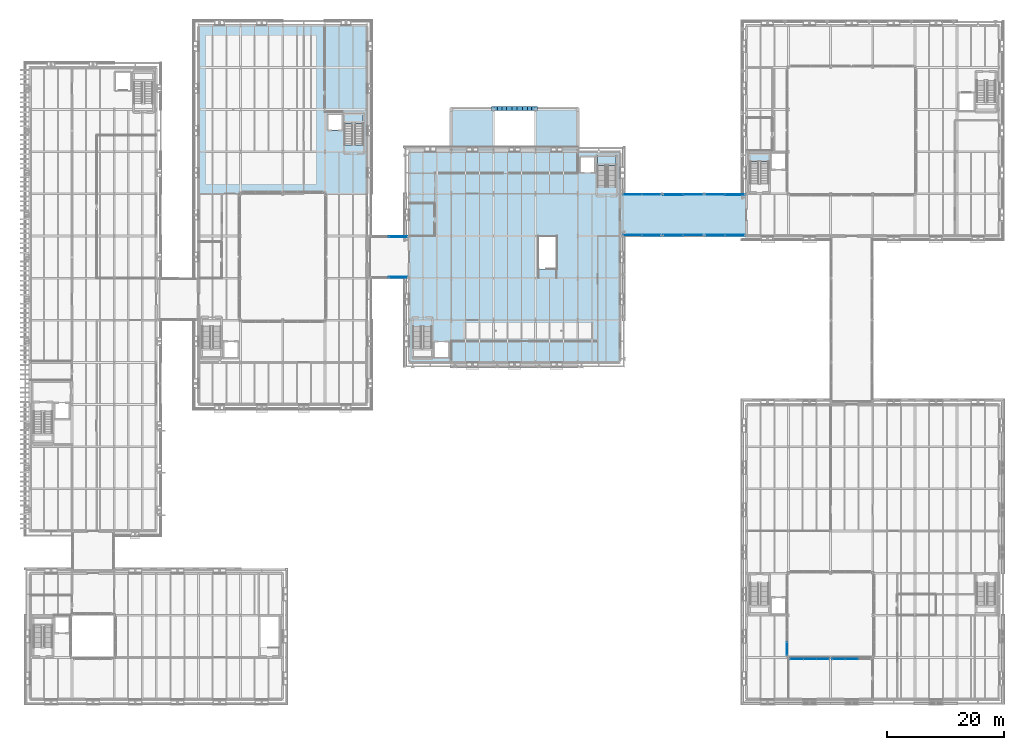
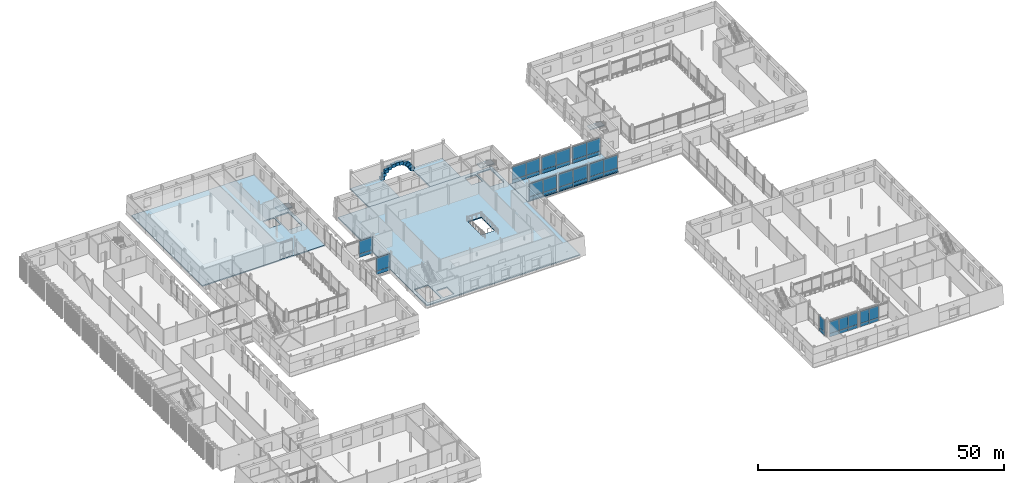
# One storey, part 65 of 121: 51 plates, 8 slabs, 14 elements without a shape of their own.
"""IFC4 building model written with IfcOpenShell, lengths in metres."""

import ifcopenshell
import ifcopenshell.guid

model = None  # the IFC model being written
_history = None  # IfcOwnerHistory: only IFC2X3 demands one
_inside = {}  # id of a spatial element -> (the spatial element, [elements in it])
_under = {}  # id of a project, library or spatial element -> (it, [spatial elements below it])
_declared = {}  # id of a project -> (the project, [libraries it declares])
_typed = {}  # id of a type object -> (the type object, [elements of that type])
_made_of = {}  # id of a material, layer set ... -> (it, [elements and type objects made of it])


def new_model(schema):
    """Start an empty IFC model of exactly this schema.

    Asked for "IFC4X3", IfcOpenShell would pick the latest addendum, in which some entities
    have other attributes; the version numbers below select the first issue.
    IFC2X3 requires an IfcOwnerHistory on every rooted entity: one is made here for all.
    """
    global model, _history
    if schema == "IFC4X3":
        model = ifcopenshell.file(schema_version=(4, 3, 0, 0))
    else:
        model = ifcopenshell.file(schema=schema)
    _inside.clear()
    _under.clear()
    _declared.clear()
    _typed.clear()
    _made_of.clear()
    _history = None
    if model.schema == "IFC2X3":
        org = make("IfcOrganization", Name="unknown")
        user = make(
            "IfcPersonAndOrganization",
            ThePerson=make("IfcPerson", FamilyName="unknown"),
            TheOrganization=org,
        )
        app = make(
            "IfcApplication",
            ApplicationDeveloper=org,
            Version="unknown",
            ApplicationFullName="unknown",
            ApplicationIdentifier="unknown",
        )
        _history = make(
            "IfcOwnerHistory",
            OwningUser=user,
            OwningApplication=app,
            ChangeAction="ADDED",
            CreationDate=0,
        )
    return model


def make(cls, **values):
    """One entity of the class cls with the attributes given. An attribute that is None is left unset."""
    return model.create_entity(
        cls, **{name: value for name, value in values.items() if value is not None}
    )


def rooted(cls, **values):
    """An entity with a GlobalId (a new one), such as an element, a storey or a relation."""
    return make(cls, GlobalId=ifcopenshell.guid.new(), OwnerHistory=_history, **values)


def si_unit(unit_type, name, prefix=None):
    """IfcSIUnit, for example si_unit("LENGTHUNIT", "METRE", prefix="MILLI")."""
    return make("IfcSIUnit", UnitType=unit_type, Prefix=prefix, Name=name)


def assignment(units):
    """IfcUnitAssignment: the units of a project."""
    return None if units is None else make("IfcUnitAssignment", Units=units)


def point(xyz):
    """IfcCartesianPoint."""
    return None if xyz is None else make("IfcCartesianPoint", Coordinates=xyz)


def direction(xyz):
    """IfcDirection."""
    return None if xyz is None else make("IfcDirection", DirectionRatios=xyz)


def frame(location, z_axis=None, x_axis=None):
    """IfcAxis2Placement3D, a coordinate frame: its origin and axes. An axis left out is left unset."""
    return make(
        "IfcAxis2Placement3D",
        Location=point(location),
        Axis=direction(z_axis),
        RefDirection=direction(x_axis),
    )


def frame_2d(location, x_axis=None):
    """IfcAxis2Placement2D, a coordinate frame in the plane: its origin and x axis."""
    return make(
        "IfcAxis2Placement2D", Location=point(location), RefDirection=direction(x_axis)
    )


def origin():
    """The frame at (0, 0, 0) with its axes left unset."""
    return frame((0.0, 0.0, 0.0))


def origin_2d():
    """The frame at (0, 0) in the plane with its x axis left unset."""
    return frame_2d((0.0, 0.0))


def place(relative_to, where):
    """IfcLocalPlacement: puts the frame where relative to a parent placement (None: the world)."""
    return make(
        "IfcLocalPlacement", PlacementRelTo=relative_to, RelativePlacement=where
    )


def context(
    kind, dimensions, precision=None, world=None, true_north=None, identifier=None
):
    """IfcGeometricRepresentationContext, for example the 3D "Model" context."""
    return make(
        "IfcGeometricRepresentationContext",
        ContextIdentifier=identifier,
        ContextType=kind,
        CoordinateSpaceDimension=dimensions,
        Precision=precision,
        WorldCoordinateSystem=world,
        TrueNorth=true_north,
    )


def subcontext(parent, identifier, kind, view, scale=None):
    """IfcGeometricRepresentationSubContext, for example "Body" below "Model"."""
    return make(
        "IfcGeometricRepresentationSubContext",
        ContextIdentifier=identifier,
        ContextType=kind,
        ParentContext=parent,
        TargetScale=scale,
        TargetView=view,
    )


def project(units=None, contexts=None):
    """IfcProject with its units and contexts."""
    return rooted(
        "IfcProject",
        Name="project",
        RepresentationContexts=contexts,
        UnitsInContext=assignment(units),
    )


def spatial(cls, under=None, at=None, **own):
    """A site, building, storey or space (cls), placed at a placement, below another one or the project."""
    s = rooted(cls, ObjectPlacement=at, **own)
    if under is not None:
        _under.setdefault(under.id(), (under, []))[1].append(s)
    return s


def polyline(points):
    """IfcPolyline through the points."""
    return make("IfcPolyline", Points=[point(p) for p in points])


def profile(cls, at=None, kind="AREA", **sizes):
    """A parametric profile (cls). Its sizes go by their IFC names, for example OverallWidth=200.0."""
    return make(cls, ProfileType=kind, Position=at, **sizes)


def rectangle(**sizes):
    """IfcRectangleProfileDef."""
    return profile("IfcRectangleProfileDef", **sizes)


def outline(outer, holes=None, kind="AREA"):
    """IfcArbitraryClosedProfileDef: a profile drawn as a closed curve; with holes, ...WithVoids."""
    if holes is None:
        return make("IfcArbitraryClosedProfileDef", ProfileType=kind, OuterCurve=outer)
    return make(
        "IfcArbitraryProfileDefWithVoids",
        ProfileType=kind,
        OuterCurve=outer,
        InnerCurves=holes,
    )


def extrude(swept, where, along, depth):
    """IfcExtrudedAreaSolid: the profile swept, set in the frame where, extruded along a direction by depth."""
    return make(
        "IfcExtrudedAreaSolid",
        SweptArea=swept,
        Position=where,
        ExtrudedDirection=direction(along),
        Depth=depth,
    )


def shape(context_of_items, identifier, shape_type, items):
    """IfcShapeRepresentation: the items that make up one representation, for example the "Body"."""
    return make(
        "IfcShapeRepresentation",
        ContextOfItems=context_of_items,
        RepresentationIdentifier=identifier,
        RepresentationType=shape_type,
        Items=items,
    )


def material(Name=None, Category=None):
    """IfcMaterial."""
    return make("IfcMaterial", Name=Name, Category=Category)


def layer(
    of_material, thickness, ventilated=None, Name=None, Category=None, Priority=None
):
    """IfcMaterialLayer: one layer of a wall or slab, of a material (None: an air gap)."""
    return make(
        "IfcMaterialLayer",
        Material=of_material,
        LayerThickness=thickness,
        IsVentilated=ventilated,
        Name=Name,
        Category=Category,
        Priority=Priority,
    )


def layer_set(layers, Name=None):
    """IfcMaterialLayerSet."""
    return make("IfcMaterialLayerSet", MaterialLayers=layers, LayerSetName=Name)


def made_of(thing, what):
    """Note that an element or type object is made of a material, layer set ...; save() writes the relation."""
    if what is not None:
        _made_of.setdefault(what.id(), (what, []))[1].append(thing)
    return thing


def type_object(cls, material=None, **own):
    """A type object (cls), such as IfcWallType, which elements share."""
    return made_of(rooted(cls, **own), material)


def element(
    cls,
    number,
    at=None,
    inside=None,
    cuts=None,
    type_object=None,
    material=None,
    context=None,
    identifier="Body",
    shape_type=None,
    held_by="IfcProductDefinitionShape",
    body=None,
    shapes=None,
    **own,
):
    """One element of the class cls, such as IfcWall. Its Tag is "e" and its number.

    at: its placement. inside: the storey or other place that contains it. cuts: it is an
    opening in that element (IfcRelVoidsElement). A single representation is given by context,
    identifier, shape_type and body (its items); several are given by shapes. held_by: the class
    of the entity that holds the representations. save() writes the other relations.
    """
    e = rooted(cls, Tag="e%d" % number, ObjectPlacement=at, **own)
    if body is not None:
        shapes = [shape(context, identifier, shape_type, body)]
    if shapes is not None:
        e.Representation = make(held_by, Representations=shapes)
    if inside is not None:
        _inside.setdefault(inside.id(), (inside, []))[1].append(e)
    if cuts is not None:
        rooted(
            "IfcRelVoidsElement", RelatingBuildingElement=cuts, RelatedOpeningElement=e
        )
    if type_object is not None:
        _typed.setdefault(type_object.id(), (type_object, []))[1].append(e)
    return made_of(e, material)


def aggregate(whole, parts):
    """IfcRelAggregates: a whole, such as a stair, and the parts it consists of."""
    return rooted("IfcRelAggregates", RelatingObject=whole, RelatedObjects=parts)


def save(model, path):
    """Write the relations noted so far, then the file.

    IfcRelAggregates (storeys below a building ...), IfcRelContainedInSpatialStructure (elements
    in a storey), IfcRelDefinesByType, IfcRelAssociatesMaterial and IfcRelDeclares: one each for
    every whole, place, type object, material and project.
    """
    for whole, parts in _under.values():
        aggregate(whole, parts)
    for where, things in _inside.values():
        rooted(
            "IfcRelContainedInSpatialStructure",
            RelatedElements=things,
            RelatingStructure=where,
        )
    for kind, things in _typed.values():
        rooted("IfcRelDefinesByType", RelatedObjects=things, RelatingType=kind)
    for what, things in _made_of.values():
        rooted("IfcRelAssociatesMaterial", RelatedObjects=things, RelatingMaterial=what)
    for by, libraries in _declared.values():
        rooted("IfcRelDeclares", RelatingContext=by, RelatedDefinitions=libraries)
    model.write(path)


model = new_model("IFC4")

# Units and contexts
model_context = context("Model", 3, precision=1e-05, world=origin(), true_north=direction((0.0, 1.0)))
body_context = subcontext(model_context, "Body", "Model", "MODEL_VIEW")
ifc_project = project(units=[si_unit("LENGTHUNIT", "METRE"), si_unit("AREAUNIT", "SQUARE_METRE"), si_unit("VOLUMEUNIT", "CUBIC_METRE"), si_unit("PLANEANGLEUNIT", "RADIAN"), si_unit("MASSUNIT", "GRAM", prefix="KILO")], contexts=[model_context])

# Site, building, storey
site_placement = place(None, origin())
site = spatial("IfcSite", under=ifc_project, at=site_placement, CompositionType="ELEMENT")
building_placement = place(site_placement, origin())
building = spatial("IfcBuilding", under=site, at=building_placement, Name="Narikvali Park Central Library", CompositionType="ELEMENT")
storey_placement = place(building_placement, frame((0.0, 0.0, 5.39990234375)))
storey = spatial("IfcBuildingStorey", under=building, at=storey_placement, Name="L01", CompositionType="ELEMENT", Elevation=5.39990234375)

# Slabs
ifc_material_1 = material(Name="Concrete C40/50", Category="concrete")
ifc_layer_1 = layer(ifc_material_1, 0.25, Name="Concrete C40/50")
ifc_layer_set_1 = layer_set([ifc_layer_1], Name="Concrete C40/50")
slab_type_1 = type_object("IfcSlabType", Name="Bridge Sliding Deck Slab 250", PredefinedType="FLOOR", material=ifc_layer_set_1)
slab_1_placement = place(storey_placement, frame((0.0, 0.0, -0.25)))
element("IfcSlab", 1, at=slab_1_placement, inside=storey, type_object=slab_type_1, Name="BRG-3 L01 Covered Bridge Deck", PredefinedType="FLOOR", context=body_context, shape_type="SweptSolid", body=[
    extrude(outline(polyline([(100.840087890625, 79.199951171875), (122.360107421875, 79.199951171875), (122.360107421875, 86.39990234375), (100.840087890625, 86.39990234375), (100.840087890625, 79.199951171875)])), origin(), (0.0, 0.0, 1.0), 0.25),
])
ifc_material_2 = material(Name="Concrete C35/45", Category="concrete")
ifc_layer_2 = layer(ifc_material_2, 0.280029296875, Name="Concrete C35/45")
ifc_layer_set_2 = layer_set([ifc_layer_2], Name="Concrete C35/45")
slab_type_2 = type_object("IfcSlabType", Name="Composite Reading Floor Slab 280", PredefinedType="FLOOR", material=ifc_layer_set_2)
slab_2_placement = place(storey_placement, frame((0.0, 0.0, -0.27978515625)))
element("IfcSlab", 2, at=slab_2_placement, inside=storey, type_object=slab_type_2, Name="V1 L01 Structural Slab", PredefinedType="FLOOR", context=body_context, shape_type="SweptSolid", body=[
    extrude(outline(polyline([(64.800048828125, 57.60009765625), (100.800048828125, 57.60009765625), (100.800048828125, 93.60009765625), (64.800048828125, 93.60009765625), (64.800048828125, 57.60009765625)]), holes=[polyline([(65.449951171875, 58.300048828125), (68.64990234375, 58.300048828125), (68.64990234375, 63.75), (65.449951171875, 63.75), (65.449951171875, 58.300048828125)]), polyline([(69.050048828125, 58.35009765625), (71.60009765625, 58.35009765625), (71.60009765625, 61.14990234375), (69.050048828125, 61.14990234375), (69.050048828125, 58.35009765625)]), polyline([(96.949951171875, 87.550048828125), (100.14990234375, 87.550048828125), (100.14990234375, 93.0), (96.949951171875, 93.0), (96.949951171875, 87.550048828125)]), polyline([(94.0, 89.949951171875), (96.550048828125, 89.949951171875), (96.550048828125, 92.75), (94.0, 92.75), (94.0, 89.949951171875)]), polyline([(86.85009765625, 73.60009765625), (90.0, 73.60009765625), (90.0, 79.10009765625), (86.85009765625, 79.10009765625), (86.85009765625, 73.60009765625)])]), origin(), (0.0, 0.0, 1.0), 0.27978515625),
])
slab_3_placement = place(storey_placement, frame((0.0, 0.0, -0.27978515625)))
element("IfcSlab", 3, at=slab_3_placement, inside=storey, type_object=slab_type_2, Name="V4 L01 Structural Slab Panel 2", PredefinedType="FLOOR", context=body_context, shape_type="SweptSolid", body=[
    extrude(outline(polyline([(28.800048828125, 86.39990234375), (57.60009765625, 86.39990234375), (57.60009765625, 115.199951171875), (28.800048828125, 115.199951171875), (28.800048828125, 86.39990234375)]), holes=[polyline([(53.75, 94.75), (56.949951171875, 94.75), (56.949951171875, 100.199951171875), (53.75, 100.199951171875), (53.75, 94.75)]), polyline([(50.85009765625, 97.25), (53.39990234375, 97.25), (53.39990234375, 100.050048828125), (50.85009765625, 100.050048828125), (50.85009765625, 97.25)])]), origin(), (0.0, 0.0, 1.0), 0.27978515625),
])
slab_4_placement = place(storey_placement, frame((0.0, 0.0, -0.27978515625)))
element("IfcSlab", 4, at=slab_4_placement, inside=storey, type_object=slab_type_2, Name="Entrance Arch L01 W Gallery Slab", PredefinedType="FLOOR", context=body_context, shape_type="SweptSolid", body=[
    extrude(outline(polyline([(72.0, 93.60009765625), (79.199951171875, 93.60009765625), (79.199951171875, 101.179931640625), (72.0, 101.179931640625), (72.0, 93.60009765625)])), origin(), (0.0, 0.0, 1.0), 0.27978515625),
])
slab_5_placement = place(storey_placement, frame((0.0, 0.0, -0.27978515625)))
element("IfcSlab", 5, at=slab_5_placement, inside=storey, type_object=slab_type_2, Name="Entrance Arch L01 E Gallery Slab", PredefinedType="FLOOR", context=body_context, shape_type="SweptSolid", body=[
    extrude(outline(polyline([(86.39990234375, 93.60009765625), (93.60009765625, 93.60009765625), (93.60009765625, 101.179931640625), (86.39990234375, 101.179931640625), (86.39990234375, 93.60009765625)])), origin(), (0.0, 0.0, 1.0), 0.27978515625),
])

# Curtain wall, plate
ifc_material_3 = material(Name="Anodised Bronze Aluminium", Category="aluminium")
ifc_layer_3 = layer(ifc_material_3, 0.219970703125, Name="Anodised Bronze Aluminium")
ifc_layer_set_3 = layer_set([ifc_layer_3], Name="Anodised Bronze Aluminium")
curtain_wall_type_1 = type_object("IfcCurtainWallType", Name="Bridge Covered Passage Glazing System", PredefinedType="NOTDEFINED", material=ifc_layer_set_3)
curtain_wall_1_placement = place(storey_placement, origin())
curtain_wall_1 = element("IfcCurtainWall", 6, at=curtain_wall_1_placement, inside=storey, type_object=curtain_wall_type_1, Name="Bridge Covered Passage Glazing System CW-BRG-2-L01-S1", PredefinedType="NOTDEFINED")
ifc_material_4 = material(Name="Anodised Bronze Acoustic Spandrel Cassette")
ifc_layer_4 = layer(ifc_material_4, 0.1650390625, Name="Anodised Bronze Acoustic Spandrel Cassette")
ifc_layer_set_4 = layer_set([ifc_layer_4], Name="Anodised Bronze Acoustic Spandrel Cassette")
plate_type_1 = type_object("IfcPlateType", Name="Curtain Wall Acoustic Plenum Louvre Cassette 165", PredefinedType="CURTAIN_PANEL", material=ifc_layer_set_4)
plate_1_placement = place(storey_placement, frame((62.91259765625, 72.1201171875, 0.03515625), z_axis=(0.0, 0.0, 1.0), x_axis=(1.0, 0.0, 0.0)))
plate_1 = element("IfcPlate", 7, at=plate_1_placement, type_object=plate_type_1, Name="CW-BRG-2-L01-S1 Panel 01-0", PredefinedType="CURTAIN_PANEL", context=body_context, shape_type="SweptSolid", body=[
    extrude(rectangle(XDim=3.1650390625, YDim=0.1650390625, at=origin_2d()), origin(), (0.0, 0.0, 1.0), 0.860107421875),
])

curtain_wall_2_placement = place(storey_placement, origin())
curtain_wall_2 = element("IfcCurtainWall", 8, at=curtain_wall_2_placement, inside=storey, type_object=curtain_wall_type_1, Name="Bridge Covered Passage Glazing System CW-BRG-3-L01-S1", PredefinedType="NOTDEFINED")
plate_2_placement = place(storey_placement, frame((102.952392578125, 79.320068359375, 0.03515625), z_axis=(0.0, 0.0, 1.0), x_axis=(1.0, 0.0, 0.0)))
plate_2 = element("IfcPlate", 9, at=plate_2_placement, type_object=plate_type_1, Name="CW-BRG-3-L01-S1 Panel 00-0", PredefinedType="CURTAIN_PANEL", context=body_context, shape_type="SweptSolid", body=[
    extrude(rectangle(XDim=3.195068359375, YDim=0.1650390625, at=origin_2d()), origin(), (0.0, 0.0, 1.0), 0.860107421875),
])

curtain_wall_3_placement = place(storey_placement, origin())
curtain_wall_3 = element("IfcCurtainWall", 10, at=curtain_wall_3_placement, inside=storey, type_object=curtain_wall_type_1, Name="Bridge Covered Passage Glazing System CW-BRG-3-L01-S2", PredefinedType="NOTDEFINED")
plate_3_placement = place(storey_placement, frame((113.280029296875, 79.320068359375, 0.03515625), z_axis=(0.0, 0.0, 1.0), x_axis=(1.0, 0.0, 0.0)))
plate_3 = element("IfcPlate", 11, at=plate_3_placement, type_object=plate_type_1, Name="CW-BRG-3-L01-S2 Panel 01-0", PredefinedType="CURTAIN_PANEL", context=body_context, shape_type="SweptSolid", body=[
    extrude(rectangle(XDim=3.35009765625, YDim=0.1650390625, at=origin_2d()), origin(), (0.0, 0.0, 1.0), 0.860107421875),
])

curtain_wall_4_placement = place(storey_placement, origin())
curtain_wall_4 = element("IfcCurtainWall", 12, at=curtain_wall_4_placement, inside=storey, type_object=curtain_wall_type_1, Name="Bridge Covered Passage Glazing System CW-BRG-3-L01-N2", PredefinedType="NOTDEFINED")
plate_4_placement = place(storey_placement, frame((109.919921875, 86.280029296875, 0.03515625), z_axis=(0.0, 0.0, 1.0), x_axis=(1.0, 0.0, 0.0)))
plate_4 = element("IfcPlate", 13, at=plate_4_placement, type_object=plate_type_1, Name="CW-BRG-3-L01-N2 Panel 00-0", PredefinedType="CURTAIN_PANEL", context=body_context, shape_type="SweptSolid", body=[
    extrude(rectangle(XDim=3.35009765625, YDim=0.1650390625, at=origin_2d()), origin(), (0.0, 0.0, 1.0), 0.860107421875),
])

curtain_wall_5_placement = place(storey_placement, origin())
curtain_wall_5 = element("IfcCurtainWall", 14, at=curtain_wall_5_placement, inside=storey, type_object=curtain_wall_type_1, Name="Bridge Covered Passage Glazing System CW-BRG-3-L01-N3", PredefinedType="NOTDEFINED")
plate_5_placement = place(storey_placement, frame((120.43505859375, 86.280029296875, 0.03515625), z_axis=(0.0, 0.0, 1.0), x_axis=(1.0, 0.0, 0.0)))
plate_5 = element("IfcPlate", 15, at=plate_5_placement, type_object=plate_type_1, Name="CW-BRG-3-L01-N3 Panel 01-0", PredefinedType="CURTAIN_PANEL", context=body_context, shape_type="SweptSolid", body=[
    extrude(rectangle(XDim=3.320068359375, YDim=0.1650390625, at=origin_2d()), origin(), (0.0, 0.0, 1.0), 0.860107421875),
])

# Plate
ifc_material_5 = material(Name="Heavy Acoustic Laminated Clerestory Glazing", Category="glass")
ifc_layer_5 = layer(ifc_material_5, 0.06396484375, Name="Heavy Acoustic Laminated Clerestory Glazing")
ifc_layer_set_5 = layer_set([ifc_layer_5], Name="Heavy Acoustic Laminated Clerestory Glazing")
plate_type_2 = type_object("IfcPlateType", Name="Curtain Wall Clerestory Laminated Acoustic Glass 64", PredefinedType="CURTAIN_PANEL", material=ifc_layer_set_5)
plate_6_placement = place(storey_placement, frame((62.91259765625, 72.1201171875, 0.905029296875), z_axis=(0.0, 0.0, 1.0), x_axis=(1.0, 0.0, 0.0)))
plate_6 = element("IfcPlate", 16, at=plate_6_placement, type_object=plate_type_2, Name="CW-BRG-2-L01-S1 Panel 01-1", PredefinedType="CURTAIN_PANEL", context=body_context, shape_type="SweptSolid", body=[
    extrude(rectangle(XDim=3.1650390625, YDim=0.06396484375, at=origin_2d()), origin(), (0.0, 0.0, 1.0), 3.2099609375),
])

aggregate(curtain_wall_1, [plate_1, plate_6])

plate_7_placement = place(storey_placement, frame((109.919921875, 79.320068359375, 0.905029296875), z_axis=(0.0, 0.0, 1.0), x_axis=(1.0, 0.0, 0.0)))
plate_7 = element("IfcPlate", 17, at=plate_7_placement, type_object=plate_type_2, Name="CW-BRG-3-L01-S2 Panel 00-1", PredefinedType="CURTAIN_PANEL", context=body_context, shape_type="SweptSolid", body=[
    extrude(rectangle(XDim=3.35009765625, YDim=0.06396484375, at=origin_2d()), origin(), (0.0, 0.0, 1.0), 3.2099609375),
])

plate_8_placement = place(storey_placement, frame((113.280029296875, 79.320068359375, 0.905029296875), z_axis=(0.0, 0.0, 1.0), x_axis=(1.0, 0.0, 0.0)))
plate_8 = element("IfcPlate", 18, at=plate_8_placement, type_object=plate_type_2, Name="CW-BRG-3-L01-S2 Panel 01-1", PredefinedType="CURTAIN_PANEL", context=body_context, shape_type="SweptSolid", body=[
    extrude(rectangle(XDim=3.35009765625, YDim=0.06396484375, at=origin_2d()), origin(), (0.0, 0.0, 1.0), 3.2099609375),
])

plate_9_placement = place(storey_placement, frame((117.10498046875, 86.280029296875, 0.905029296875), z_axis=(0.0, 0.0, 1.0), x_axis=(1.0, 0.0, 0.0)))
plate_9 = element("IfcPlate", 19, at=plate_9_placement, type_object=plate_type_2, Name="CW-BRG-3-L01-N3 Panel 00-1", PredefinedType="CURTAIN_PANEL", context=body_context, shape_type="SweptSolid", body=[
    extrude(rectangle(XDim=3.320068359375, YDim=0.06396484375, at=origin_2d()), origin(), (0.0, 0.0, 1.0), 3.2099609375),
])

plate_10_placement = place(storey_placement, frame((120.43505859375, 86.280029296875, 0.905029296875), z_axis=(0.0, 0.0, 1.0), x_axis=(1.0, 0.0, 0.0)))
plate_10 = element("IfcPlate", 20, at=plate_10_placement, type_object=plate_type_2, Name="CW-BRG-3-L01-N3 Panel 01-1", PredefinedType="CURTAIN_PANEL", context=body_context, shape_type="SweptSolid", body=[
    extrude(rectangle(XDim=3.320068359375, YDim=0.06396484375, at=origin_2d()), origin(), (0.0, 0.0, 1.0), 3.2099609375),
])

# Curtain wall, plate
ifc_layer_6 = layer(ifc_material_3, 0.219970703125, Name="Anodised Bronze Aluminium")
ifc_layer_set_6 = layer_set([ifc_layer_6], Name="Anodised Bronze Aluminium")
curtain_wall_type_2 = type_object("IfcCurtainWallType", Name="Atrium Tall Curtain Wall System", PredefinedType="NOTDEFINED", material=ifc_layer_set_6)
curtain_wall_6_placement = place(storey_placement, origin())
curtain_wall_6 = element("IfcCurtainWall", 21, at=curtain_wall_6_placement, inside=storey, type_object=curtain_wall_type_2, Name="Atrium Tall Curtain Wall System CW-INT-V6-L01-W1", PredefinedType="NOTDEFINED")
plate_11_placement = place(storey_placement, frame((129.320068359375, 8.683349609375, 0.03515625), z_axis=(0.0, 0.0, 1.0), x_axis=(0.0, 1.0, 0.0)))
plate_11 = element("IfcPlate", 22, at=plate_11_placement, type_object=plate_type_2, Name="CW-INT-V6-L01-W1 Panel 00-0", PredefinedType="CURTAIN_PANEL", context=body_context, shape_type="SweptSolid", body=[
    extrude(rectangle(XDim=2.15673828125, YDim=0.06396484375, at=origin_2d()), origin(), (0.0, 0.0, 1.0), 0.860107421875),
])

# Curtain wall, plates
curtain_wall_7_placement = place(storey_placement, origin())
curtain_wall_7 = element("IfcCurtainWall", 23, at=curtain_wall_7_placement, inside=storey, type_object=curtain_wall_type_2, Name="Atrium Tall Curtain Wall System CW-INT-V6-L01-S1", PredefinedType="NOTDEFINED")
plate_12_placement = place(storey_placement, frame((131.083251953125, 6.919921875, 0.03515625), z_axis=(0.0, 0.0, 1.0), x_axis=(1.0, 0.0, 0.0)))
plate_12 = element("IfcPlate", 24, at=plate_12_placement, type_object=plate_type_2, Name="CW-INT-V6-L01-S1 Panel 00-0", PredefinedType="CURTAIN_PANEL", context=body_context, shape_type="SweptSolid", body=[
    extrude(rectangle(XDim=2.15673828125, YDim=0.06396484375, at=origin_2d()), origin(), (0.0, 0.0, 1.0), 0.860107421875),
])
plate_13_placement = place(storey_placement, frame((133.25, 6.919921875, 0.03515625), z_axis=(0.0, 0.0, 1.0), x_axis=(1.0, 0.0, 0.0)))
plate_13 = element("IfcPlate", 25, at=plate_13_placement, type_object=plate_type_2, Name="CW-INT-V6-L01-S1 Panel 01-0", PredefinedType="CURTAIN_PANEL", context=body_context, shape_type="SweptSolid", body=[
    extrude(rectangle(XDim=2.15673828125, YDim=0.06396484375, at=origin_2d()), origin(), (0.0, 0.0, 1.0), 0.860107421875),
])
plate_14_placement = place(storey_placement, frame((135.416748046875, 6.919921875, 0.03515625), z_axis=(0.0, 0.0, 1.0), x_axis=(1.0, 0.0, 0.0)))
plate_14 = element("IfcPlate", 26, at=plate_14_placement, type_object=plate_type_2, Name="CW-INT-V6-L01-S1 Panel 02-0", PredefinedType="CURTAIN_PANEL", context=body_context, shape_type="SweptSolid", body=[
    extrude(rectangle(XDim=2.15673828125, YDim=0.06396484375, at=origin_2d()), origin(), (0.0, 0.0, 1.0), 0.860107421875),
])

# Curtain wall, plate
curtain_wall_8_placement = place(storey_placement, origin())
curtain_wall_8 = element("IfcCurtainWall", 27, at=curtain_wall_8_placement, inside=storey, type_object=curtain_wall_type_1, Name="Bridge Covered Passage Glazing System CW-BRG-2-L01-N1", PredefinedType="NOTDEFINED")
ifc_material_6 = material(Name="Double Low-E Tempered Vision Glazing", Category="glass")
ifc_layer_7 = layer(ifc_material_6, 0.035888671875, Name="Double Low-E Tempered Vision Glazing")
ifc_layer_set_7 = layer_set([ifc_layer_7], Name="Double Low-E Tempered Vision Glazing")
plate_type_3 = type_object("IfcPlateType", Name="Curtain Wall Double Low-E Vision Glazing 36", PredefinedType="CURTAIN_PANEL", material=ifc_layer_set_7)
plate_15_placement = place(storey_placement, frame((62.91259765625, 79.080078125, 0.905029296875), z_axis=(0.0, 0.0, 1.0), x_axis=(1.0, 0.0, 0.0)))
plate_15 = element("IfcPlate", 28, at=plate_15_placement, type_object=plate_type_3, Name="CW-BRG-2-L01-N1 Panel 01-1", PredefinedType="CURTAIN_PANEL", context=body_context, shape_type="SweptSolid", body=[
    extrude(rectangle(XDim=3.1650390625, YDim=0.035888671875, at=origin_2d()), origin(), (0.0, 0.0, 1.0), 3.2099609375),
])

# Plate
plate_16_placement = place(storey_placement, frame((102.952392578125, 79.320068359375, 0.905029296875), z_axis=(0.0, 0.0, 1.0), x_axis=(1.0, 0.0, 0.0)))
plate_16 = element("IfcPlate", 29, at=plate_16_placement, type_object=plate_type_3, Name="CW-BRG-3-L01-S1 Panel 00-1", PredefinedType="CURTAIN_PANEL", context=body_context, shape_type="SweptSolid", body=[
    extrude(rectangle(XDim=3.195068359375, YDim=0.035888671875, at=origin_2d()), origin(), (0.0, 0.0, 1.0), 3.2099609375),
])

plate_17_placement = place(storey_placement, frame((106.157470703125, 79.320068359375, 0.905029296875), z_axis=(0.0, 0.0, 1.0), x_axis=(1.0, 0.0, 0.0)))
plate_17 = element("IfcPlate", 30, at=plate_17_placement, type_object=plate_type_3, Name="CW-BRG-3-L01-S1 Panel 01-1", PredefinedType="CURTAIN_PANEL", context=body_context, shape_type="SweptSolid", body=[
    extrude(rectangle(XDim=3.195068359375, YDim=0.035888671875, at=origin_2d()), origin(), (0.0, 0.0, 1.0), 3.2099609375),
])

plate_18_placement = place(storey_placement, frame((109.919921875, 86.280029296875, 0.905029296875), z_axis=(0.0, 0.0, 1.0), x_axis=(1.0, 0.0, 0.0)))
plate_18 = element("IfcPlate", 31, at=plate_18_placement, type_object=plate_type_3, Name="CW-BRG-3-L01-N2 Panel 00-1", PredefinedType="CURTAIN_PANEL", context=body_context, shape_type="SweptSolid", body=[
    extrude(rectangle(XDim=3.35009765625, YDim=0.035888671875, at=origin_2d()), origin(), (0.0, 0.0, 1.0), 3.2099609375),
])

plate_19_placement = place(storey_placement, frame((113.280029296875, 86.280029296875, 0.905029296875), z_axis=(0.0, 0.0, 1.0), x_axis=(1.0, 0.0, 0.0)))
plate_19 = element("IfcPlate", 32, at=plate_19_placement, type_object=plate_type_3, Name="CW-BRG-3-L01-N2 Panel 01-1", PredefinedType="CURTAIN_PANEL", context=body_context, shape_type="SweptSolid", body=[
    extrude(rectangle(XDim=3.35009765625, YDim=0.035888671875, at=origin_2d()), origin(), (0.0, 0.0, 1.0), 3.2099609375),
])

plate_20_placement = place(storey_placement, frame((129.320068359375, 8.683349609375, 0.905029296875), z_axis=(0.0, 0.0, 1.0), x_axis=(0.0, 1.0, 0.0)))
plate_20 = element("IfcPlate", 33, at=plate_20_placement, type_object=plate_type_3, Name="CW-INT-V6-L01-W1 Panel 00-1", PredefinedType="CURTAIN_PANEL", context=body_context, shape_type="SweptSolid", body=[
    extrude(rectangle(XDim=2.15673828125, YDim=0.035888671875, at=origin_2d()), origin(), (0.0, 0.0, 1.0), 2.9599609375),
])

aggregate(curtain_wall_6, [plate_11, plate_20])

plate_21_placement = place(storey_placement, frame((131.083251953125, 6.919921875, 0.905029296875), z_axis=(0.0, 0.0, 1.0), x_axis=(1.0, 0.0, 0.0)))
plate_21 = element("IfcPlate", 34, at=plate_21_placement, type_object=plate_type_3, Name="CW-INT-V6-L01-S1 Panel 00-1", PredefinedType="CURTAIN_PANEL", context=body_context, shape_type="SweptSolid", body=[
    extrude(rectangle(XDim=2.15673828125, YDim=0.035888671875, at=origin_2d()), origin(), (0.0, 0.0, 1.0), 2.9599609375),
])

plate_22_placement = place(storey_placement, frame((133.25, 6.919921875, 0.905029296875), z_axis=(0.0, 0.0, 1.0), x_axis=(1.0, 0.0, 0.0)))
plate_22 = element("IfcPlate", 35, at=plate_22_placement, type_object=plate_type_3, Name="CW-INT-V6-L01-S1 Panel 01-1", PredefinedType="CURTAIN_PANEL", context=body_context, shape_type="SweptSolid", body=[
    extrude(rectangle(XDim=2.15673828125, YDim=0.035888671875, at=origin_2d()), origin(), (0.0, 0.0, 1.0), 2.9599609375),
])

plate_23_placement = place(storey_placement, frame((135.416748046875, 6.919921875, 0.905029296875), z_axis=(0.0, 0.0, 1.0), x_axis=(1.0, 0.0, 0.0)))
plate_23 = element("IfcPlate", 36, at=plate_23_placement, type_object=plate_type_3, Name="CW-INT-V6-L01-S1 Panel 02-1", PredefinedType="CURTAIN_PANEL", context=body_context, shape_type="SweptSolid", body=[
    extrude(rectangle(XDim=2.15673828125, YDim=0.035888671875, at=origin_2d()), origin(), (0.0, 0.0, 1.0), 2.9599609375),
])

aggregate(curtain_wall_7, [plate_12, plate_21, plate_13, plate_22, plate_14, plate_23])

# Curtain wall, plates
curtain_wall_9_placement = place(storey_placement, origin())
curtain_wall_9 = element("IfcCurtainWall", 37, at=curtain_wall_9_placement, inside=storey, type_object=curtain_wall_type_2, Name="Atrium Tall Curtain Wall System CW-INT-V6-L01-S2", PredefinedType="NOTDEFINED")
plate_24_placement = place(storey_placement, frame((138.183349609375, 6.919921875, 0.03515625), z_axis=(0.0, 0.0, 1.0), x_axis=(1.0, 0.0, 0.0)))
plate_24 = element("IfcPlate", 38, at=plate_24_placement, type_object=plate_type_3, Name="CW-INT-V6-L01-S2 Panel 00-0", PredefinedType="CURTAIN_PANEL", context=body_context, shape_type="SweptSolid", body=[
    extrude(rectangle(XDim=2.15673828125, YDim=0.035888671875, at=origin_2d()), origin(), (0.0, 0.0, 1.0), 0.860107421875),
])
plate_25_placement = place(storey_placement, frame((140.35009765625, 6.919921875, 0.03515625), z_axis=(0.0, 0.0, 1.0), x_axis=(1.0, 0.0, 0.0)))
plate_25 = element("IfcPlate", 39, at=plate_25_placement, type_object=plate_type_3, Name="CW-INT-V6-L01-S2 Panel 01-0", PredefinedType="CURTAIN_PANEL", context=body_context, shape_type="SweptSolid", body=[
    extrude(rectangle(XDim=2.15673828125, YDim=0.035888671875, at=origin_2d()), origin(), (0.0, 0.0, 1.0), 0.860107421875),
])

# Plate
ifc_material_7 = material(Name="Anodised Bronze Insulated Spandrel Cassette")
ifc_layer_8 = layer(ifc_material_7, 0.110107421875, Name="Anodised Bronze Insulated Spandrel Cassette")
ifc_layer_set_8 = layer_set([ifc_layer_8], Name="Anodised Bronze Insulated Spandrel Cassette")
plate_type_4 = type_object("IfcPlateType", Name="Curtain Wall Insulated Bronze Spandrel Cassette 110", PredefinedType="CURTAIN_PANEL", material=ifc_layer_set_8)
plate_26_placement = place(storey_placement, frame((62.91259765625, 79.080078125, 0.03515625), z_axis=(0.0, 0.0, 1.0), x_axis=(1.0, 0.0, 0.0)))
plate_26 = element("IfcPlate", 40, at=plate_26_placement, type_object=plate_type_4, Name="CW-BRG-2-L01-N1 Panel 01-0", PredefinedType="CURTAIN_PANEL", context=body_context, shape_type="SweptSolid", body=[
    extrude(rectangle(XDim=3.1650390625, YDim=0.110107421875, at=origin_2d()), origin(), (0.0, 0.0, 1.0), 0.860107421875),
])

aggregate(curtain_wall_8, [plate_26, plate_15])

plate_27_placement = place(storey_placement, frame((106.157470703125, 79.320068359375, 0.03515625), z_axis=(0.0, 0.0, 1.0), x_axis=(1.0, 0.0, 0.0)))
plate_27 = element("IfcPlate", 41, at=plate_27_placement, type_object=plate_type_4, Name="CW-BRG-3-L01-S1 Panel 01-0", PredefinedType="CURTAIN_PANEL", context=body_context, shape_type="SweptSolid", body=[
    extrude(rectangle(XDim=3.195068359375, YDim=0.110107421875, at=origin_2d()), origin(), (0.0, 0.0, 1.0), 0.860107421875),
])

aggregate(curtain_wall_2, [plate_2, plate_16, plate_27, plate_17])

# Curtain wall, plate
curtain_wall_10_placement = place(storey_placement, origin())
curtain_wall_10 = element("IfcCurtainWall", 42, at=curtain_wall_10_placement, inside=storey, type_object=curtain_wall_type_1, Name="Bridge Covered Passage Glazing System CW-BRG-3-L01-N1", PredefinedType="NOTDEFINED")
plate_28_placement = place(storey_placement, frame((102.952392578125, 86.280029296875, 0.03515625), z_axis=(0.0, 0.0, 1.0), x_axis=(1.0, 0.0, 0.0)))
plate_28 = element("IfcPlate", 43, at=plate_28_placement, type_object=plate_type_4, Name="CW-BRG-3-L01-N1 Panel 00-0", PredefinedType="CURTAIN_PANEL", context=body_context, shape_type="SweptSolid", body=[
    extrude(rectangle(XDim=3.195068359375, YDim=0.110107421875, at=origin_2d()), origin(), (0.0, 0.0, 1.0), 0.860107421875),
])

# Plate
plate_29_placement = place(storey_placement, frame((113.280029296875, 86.280029296875, 0.03515625), z_axis=(0.0, 0.0, 1.0), x_axis=(1.0, 0.0, 0.0)))
plate_29 = element("IfcPlate", 44, at=plate_29_placement, type_object=plate_type_4, Name="CW-BRG-3-L01-N2 Panel 01-0", PredefinedType="CURTAIN_PANEL", context=body_context, shape_type="SweptSolid", body=[
    extrude(rectangle(XDim=3.35009765625, YDim=0.110107421875, at=origin_2d()), origin(), (0.0, 0.0, 1.0), 0.860107421875),
])

aggregate(curtain_wall_4, [plate_4, plate_18, plate_29, plate_19])

# Curtain wall, plate
curtain_wall_11_placement = place(storey_placement, origin())
curtain_wall_11 = element("IfcCurtainWall", 45, at=curtain_wall_11_placement, inside=storey, type_object=curtain_wall_type_1, Name="Bridge Covered Passage Glazing System CW-BRG-3-L01-S3", PredefinedType="NOTDEFINED")
plate_30_placement = place(storey_placement, frame((117.10498046875, 79.320068359375, 0.03515625), z_axis=(0.0, 0.0, 1.0), x_axis=(1.0, 0.0, 0.0)))
plate_30 = element("IfcPlate", 46, at=plate_30_placement, type_object=plate_type_4, Name="CW-BRG-3-L01-S3 Panel 00-0", PredefinedType="CURTAIN_PANEL", context=body_context, shape_type="SweptSolid", body=[
    extrude(rectangle(XDim=3.320068359375, YDim=0.110107421875, at=origin_2d()), origin(), (0.0, 0.0, 1.0), 0.860107421875),
])

# Plate
ifc_material_8 = material(Name="Mineral-Wool Shadow-Box Spandrel Assembly")
ifc_layer_9 = layer(ifc_material_8, 0.139892578125, Name="Mineral-Wool Shadow-Box Spandrel Assembly")
ifc_layer_set_9 = layer_set([ifc_layer_9], Name="Mineral-Wool Shadow-Box Spandrel Assembly")
plate_type_5 = type_object("IfcPlateType", Name="Curtain Wall Shadow-Box Mineral Spandrel Panel 140", PredefinedType="CURTAIN_PANEL", material=ifc_layer_set_9)
plate_31_placement = place(storey_placement, frame((106.157470703125, 86.280029296875, 0.03515625), z_axis=(0.0, 0.0, 1.0), x_axis=(1.0, 0.0, 0.0)))
plate_31 = element("IfcPlate", 47, at=plate_31_placement, type_object=plate_type_5, Name="CW-BRG-3-L01-N1 Panel 01-0", PredefinedType="CURTAIN_PANEL", context=body_context, shape_type="SweptSolid", body=[
    extrude(rectangle(XDim=3.195068359375, YDim=0.139892578125, at=origin_2d()), origin(), (0.0, 0.0, 1.0), 0.860107421875),
])

plate_32_placement = place(storey_placement, frame((109.919921875, 79.320068359375, 0.03515625), z_axis=(0.0, 0.0, 1.0), x_axis=(1.0, 0.0, 0.0)))
plate_32 = element("IfcPlate", 48, at=plate_32_placement, type_object=plate_type_5, Name="CW-BRG-3-L01-S2 Panel 00-0", PredefinedType="CURTAIN_PANEL", context=body_context, shape_type="SweptSolid", body=[
    extrude(rectangle(XDim=3.35009765625, YDim=0.139892578125, at=origin_2d()), origin(), (0.0, 0.0, 1.0), 0.860107421875),
])

aggregate(curtain_wall_3, [plate_32, plate_7, plate_3, plate_8])

plate_33_placement = place(storey_placement, frame((120.43505859375, 79.320068359375, 0.03515625), z_axis=(0.0, 0.0, 1.0), x_axis=(1.0, 0.0, 0.0)))
plate_33 = element("IfcPlate", 49, at=plate_33_placement, type_object=plate_type_5, Name="CW-BRG-3-L01-S3 Panel 01-0", PredefinedType="CURTAIN_PANEL", context=body_context, shape_type="SweptSolid", body=[
    extrude(rectangle(XDim=3.320068359375, YDim=0.139892578125, at=origin_2d()), origin(), (0.0, 0.0, 1.0), 0.860107421875),
])

plate_34_placement = place(storey_placement, frame((117.10498046875, 86.280029296875, 0.03515625), z_axis=(0.0, 0.0, 1.0), x_axis=(1.0, 0.0, 0.0)))
plate_34 = element("IfcPlate", 50, at=plate_34_placement, type_object=plate_type_5, Name="CW-BRG-3-L01-N3 Panel 00-0", PredefinedType="CURTAIN_PANEL", context=body_context, shape_type="SweptSolid", body=[
    extrude(rectangle(XDim=3.320068359375, YDim=0.139892578125, at=origin_2d()), origin(), (0.0, 0.0, 1.0), 0.860107421875),
])

aggregate(curtain_wall_5, [plate_34, plate_9, plate_5, plate_10])

ifc_material_9 = material(Name="Triple Low-E Acoustic Laminated Glazing", Category="glass")
ifc_layer_10 = layer(ifc_material_9, 0.048095703125, Name="Triple Low-E Acoustic Laminated Glazing")
ifc_layer_set_10 = layer_set([ifc_layer_10], Name="Triple Low-E Acoustic Laminated Glazing")
plate_type_6 = type_object("IfcPlateType", Name="Curtain Wall Triple Solar-Acoustic Glazing 48", PredefinedType="CURTAIN_PANEL", material=ifc_layer_set_10)
plate_35_placement = place(storey_placement, frame((102.952392578125, 86.280029296875, 0.905029296875), z_axis=(0.0, 0.0, 1.0), x_axis=(1.0, 0.0, 0.0)))
plate_35 = element("IfcPlate", 51, at=plate_35_placement, type_object=plate_type_6, Name="CW-BRG-3-L01-N1 Panel 00-1", PredefinedType="CURTAIN_PANEL", context=body_context, shape_type="SweptSolid", body=[
    extrude(rectangle(XDim=3.195068359375, YDim=0.048095703125, at=origin_2d()), origin(), (0.0, 0.0, 1.0), 3.2099609375),
])

plate_36_placement = place(storey_placement, frame((106.157470703125, 86.280029296875, 0.905029296875), z_axis=(0.0, 0.0, 1.0), x_axis=(1.0, 0.0, 0.0)))
plate_36 = element("IfcPlate", 52, at=plate_36_placement, type_object=plate_type_6, Name="CW-BRG-3-L01-N1 Panel 01-1", PredefinedType="CURTAIN_PANEL", context=body_context, shape_type="SweptSolid", body=[
    extrude(rectangle(XDim=3.195068359375, YDim=0.048095703125, at=origin_2d()), origin(), (0.0, 0.0, 1.0), 3.2099609375),
])

aggregate(curtain_wall_10, [plate_28, plate_35, plate_31, plate_36])

plate_37_placement = place(storey_placement, frame((117.10498046875, 79.320068359375, 0.905029296875), z_axis=(0.0, 0.0, 1.0), x_axis=(1.0, 0.0, 0.0)))
plate_37 = element("IfcPlate", 53, at=plate_37_placement, type_object=plate_type_6, Name="CW-BRG-3-L01-S3 Panel 00-1", PredefinedType="CURTAIN_PANEL", context=body_context, shape_type="SweptSolid", body=[
    extrude(rectangle(XDim=3.320068359375, YDim=0.048095703125, at=origin_2d()), origin(), (0.0, 0.0, 1.0), 3.2099609375),
])

plate_38_placement = place(storey_placement, frame((120.43505859375, 79.320068359375, 0.905029296875), z_axis=(0.0, 0.0, 1.0), x_axis=(1.0, 0.0, 0.0)))
plate_38 = element("IfcPlate", 54, at=plate_38_placement, type_object=plate_type_6, Name="CW-BRG-3-L01-S3 Panel 01-1", PredefinedType="CURTAIN_PANEL", context=body_context, shape_type="SweptSolid", body=[
    extrude(rectangle(XDim=3.320068359375, YDim=0.048095703125, at=origin_2d()), origin(), (0.0, 0.0, 1.0), 3.2099609375),
])

aggregate(curtain_wall_11, [plate_30, plate_37, plate_33, plate_38])

plate_39_placement = place(storey_placement, frame((138.183349609375, 6.919921875, 0.905029296875), z_axis=(0.0, 0.0, 1.0), x_axis=(1.0, 0.0, 0.0)))
plate_39 = element("IfcPlate", 55, at=plate_39_placement, type_object=plate_type_6, Name="CW-INT-V6-L01-S2 Panel 00-1", PredefinedType="CURTAIN_PANEL", context=body_context, shape_type="SweptSolid", body=[
    extrude(rectangle(XDim=2.15673828125, YDim=0.048095703125, at=origin_2d()), origin(), (0.0, 0.0, 1.0), 2.9599609375),
])

plate_40_placement = place(storey_placement, frame((140.35009765625, 6.919921875, 0.905029296875), z_axis=(0.0, 0.0, 1.0), x_axis=(1.0, 0.0, 0.0)))
plate_40 = element("IfcPlate", 56, at=plate_40_placement, type_object=plate_type_6, Name="CW-INT-V6-L01-S2 Panel 01-1", PredefinedType="CURTAIN_PANEL", context=body_context, shape_type="SweptSolid", body=[
    extrude(rectangle(XDim=2.15673828125, YDim=0.048095703125, at=origin_2d()), origin(), (0.0, 0.0, 1.0), 2.9599609375),
])

aggregate(curtain_wall_9, [plate_24, plate_39, plate_25, plate_40])

# Plates
ifc_material_10 = material(Name="Kiln-Fired Terracotta Red Brick Masonry", Category="masonry")
ifc_layer_11 = layer(ifc_material_10, 0.679931640625, Name="Kiln-Fired Terracotta Red Brick Masonry")
ifc_layer_set_11 = layer_set([ifc_layer_11], Name="Kiln-Fired Terracotta Red Brick Masonry")
plate_type_7 = type_object("IfcPlateType", Name="Red Brick Entrance Arch Voussoir", PredefinedType="SHEET", material=ifc_layer_set_11)
for number, where, z_axis, x_axis, name in (
    (57, (79.34033203125, 100.97998046875, -0.23779296875), (0.0, 0.0, 1.0), (1.0, 0.0, 0.0), "Entrance Portal Red Brick Arch Voussoir 02"),
    (58, (79.7548828125, 100.97998046875, 0.5517578125), (0.0, 0.0, 1.0), (1.0, 0.0, 0.0), "Entrance Portal Red Brick Arch Voussoir 03"),
    (59, (80.346435546875, 100.97998046875, 1.2197265625), (0.0, 0.0, 1.0), (1.0, 0.0, 0.0), "Entrance Portal Red Brick Arch Voussoir 04"),
    (60, (81.08056640625, 100.97998046875, 1.72607421875), (0.0, 0.0, 1.0), (1.0, 0.0, 0.0), "Entrance Portal Red Brick Arch Voussoir 05"),
    (61, (81.91455078125, 100.97998046875, 2.04248046875), (0.0, 0.0, 1.0), (1.0, 0.0, 0.0), "Entrance Portal Red Brick Arch Voussoir 06"),
    (62, (82.800048828125, 100.97998046875, 2.14990234375), (0.0, 0.0, 1.0), (1.0, 0.0, 0.0), "Entrance Portal Red Brick Arch Voussoir 07"),
    (63, (83.685546875, 100.97998046875, 2.04248046875), (0.0, 0.0, 1.0), (1.0, 0.0, 0.0), "Entrance Portal Red Brick Arch Voussoir 08"),
    (64, (84.51953125, 100.97998046875, 1.72607421875), (0.0, 0.0, 1.0), (1.0, 0.0, 0.0), "Entrance Portal Red Brick Arch Voussoir 09"),
    (65, (85.253662109375, 100.97998046875, 1.2197265625), (0.0, 0.0, 1.0), (1.0, 0.0, 0.0), "Entrance Portal Red Brick Arch Voussoir 10"),
    (66, (85.844970703125, 100.97998046875, 0.5517578125), (0.0, 0.0, 1.0), (1.0, 0.0, 0.0), "Entrance Portal Red Brick Arch Voussoir 11"),
    (67, (86.259521484375, 100.97998046875, -0.23779296875), (0.0, 0.0, 1.0), (1.0, 0.0, 0.0), "Entrance Portal Red Brick Arch Voussoir 12"),
):
    element("IfcPlate", number, at=place(storey_placement, frame(where, z_axis=z_axis, x_axis=x_axis)), inside=storey, type_object=plate_type_7, Name=name, PredefinedType="SHEET", context=body_context, shape_type="SweptSolid", body=[
        extrude(rectangle(XDim=0.919921875, YDim=0.679931640625, at=origin_2d()), origin(), (0.0, 0.0, 1.0), 0.800048828125),
    ])

# Stair, slab
stair_type = type_object("IfcStairType", Name="Core Enclosed Two-Flight Exit Stair", PredefinedType="HALF_TURN_STAIR", material=ifc_material_2)
stair_1_placement = place(storey_placement, origin())
stair_1 = element("IfcStair", 68, at=stair_1_placement, inside=storey, type_object=stair_type, Name="L01 Exit Stair ST-02", PredefinedType="HALF_TURN_STAIR")
ifc_layer_12 = layer(ifc_material_2, 0.199951171875, Name="Concrete C35/45")
ifc_layer_set_12 = layer_set([ifc_layer_12], Name="Concrete C35/45")
slab_type_3 = type_object("IfcSlabType", Name="Stair Half-Landing Concrete Slab 200", PredefinedType="LANDING", material=ifc_layer_set_12)
slab_6_placement = place(storey_placement, frame((0.0, 0.0, 2.2001953125)))
slab_6 = element("IfcSlab", 69, at=slab_6_placement, type_object=slab_type_3, Name="ST-02 landing 1", PredefinedType="LANDING", context=body_context, shape_type="SweptSolid", body=[
    extrude(outline(polyline([(100.14990234375, 91.2548828125), (100.14990234375, 93.0), (96.949951171875, 93.0), (96.949951171875, 91.2548828125), (100.14990234375, 91.2548828125)])), origin(), (0.0, 0.0, 1.0), 0.199951171875),
])
aggregate(stair_1, [slab_6])

stair_2_placement = place(storey_placement, origin())
stair_2 = element("IfcStair", 70, at=stair_2_placement, inside=storey, type_object=stair_type, Name="L01 Exit Stair ST-05", PredefinedType="HALF_TURN_STAIR")
slab_7_placement = place(storey_placement, frame((0.0, 0.0, 2.2001953125)))
slab_7 = element("IfcSlab", 71, at=slab_7_placement, type_object=slab_type_3, Name="ST-05 landing 1", PredefinedType="LANDING", context=body_context, shape_type="SweptSolid", body=[
    extrude(outline(polyline([(126.25, 91.85498046875), (126.25, 93.39990234375), (123.050048828125, 93.39990234375), (123.050048828125, 91.85498046875), (126.25, 91.85498046875)])), origin(), (0.0, 0.0, 1.0), 0.199951171875),
])
aggregate(stair_2, [slab_7])

stair_3_placement = place(storey_placement, origin())
stair_3 = element("IfcStair", 72, at=stair_3_placement, inside=storey, type_object=stair_type, Name="L01 Exit Stair ST-08", PredefinedType="HALF_TURN_STAIR")
slab_8_placement = place(storey_placement, frame((0.0, 0.0, 2.2001953125)))
slab_8 = element("IfcSlab", 73, at=slab_8_placement, type_object=slab_type_3, Name="ST-08 landing 1", PredefinedType="LANDING", context=body_context, shape_type="SweptSolid", body=[
    extrude(outline(polyline([(56.949951171875, 98.455078125), (56.949951171875, 100.199951171875), (53.75, 100.199951171875), (53.75, 98.455078125), (56.949951171875, 98.455078125)])), origin(), (0.0, 0.0, 1.0), 0.199951171875),
])
aggregate(stair_3, [slab_8])

save(model, "model.ifc")
